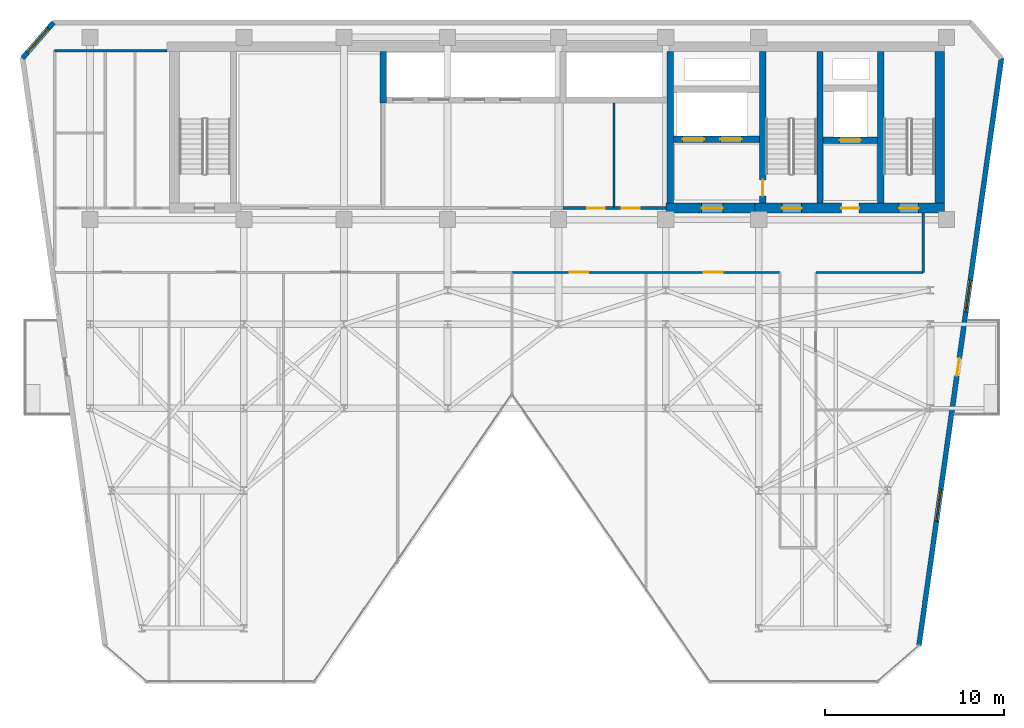
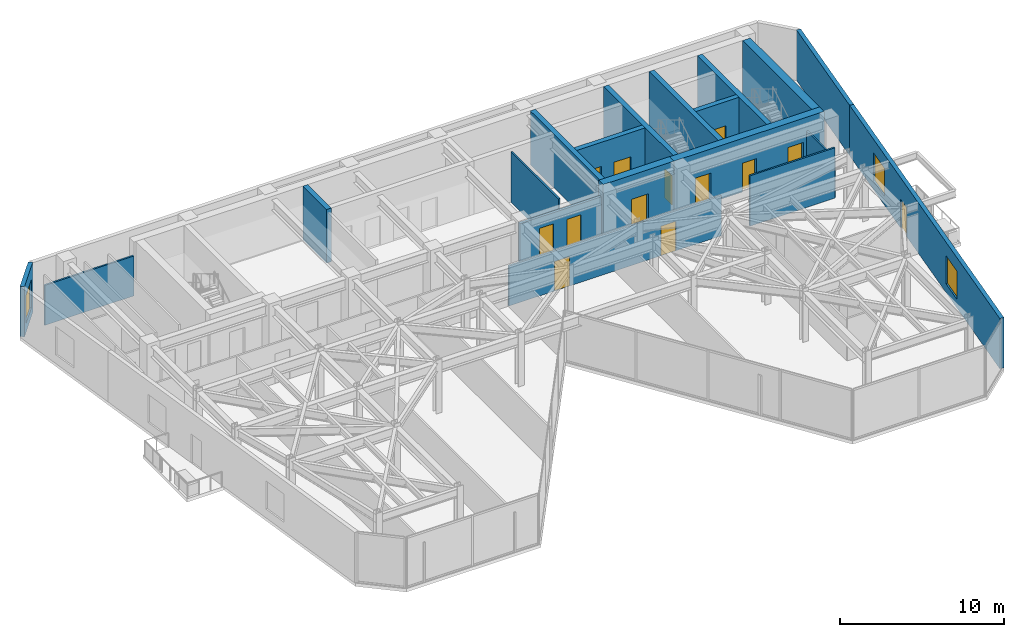
# One storey, part 17 of 21: 19 walls, 13 doors, 3 windows, 16 openings.
"""IFC4 building model written with IfcOpenShell, lengths in metres."""

from ifc_helpers import new_model, si_unit, direction, frame, frame_2d, origin, place, context, subcontext, project, spatial, rectangle, extrude, material, layer, layer_set, type_object, element, fill, save


model = new_model("IFC4")

# Units and contexts
model_context = context("Model", 3, precision=1e-05, world=origin(), true_north=direction((0.0, 1.0)))
body_context = subcontext(model_context, "Body", "Model", "MODEL_VIEW")
ifc_project = project(units=[si_unit("LENGTHUNIT", "METRE"), si_unit("AREAUNIT", "SQUARE_METRE"), si_unit("VOLUMEUNIT", "CUBIC_METRE"), si_unit("PLANEANGLEUNIT", "RADIAN"), si_unit("MASSUNIT", "GRAM", prefix="KILO")], contexts=[model_context])

# Site, building, storey
site_placement = place(None, origin())
site = spatial("IfcSite", under=ifc_project, at=site_placement, CompositionType="ELEMENT")
building_placement = place(site_placement, origin())
building = spatial("IfcBuilding", under=site, at=building_placement, Name="Kravanh Interchange Tower", CompositionType="ELEMENT")
storey_placement = place(building_placement, frame((0.0, 0.0, 184.5)))
storey = spatial("IfcBuildingStorey", under=building, at=storey_placement, Name="L44", CompositionType="ELEMENT", Elevation=184.5)

# Walls
ifc_material_1 = material(Name="Double Acoustic Gypsum Board and Mineral Wool")
ifc_layer_1 = layer(ifc_material_1, 0.1201171875)
ifc_layer_set_1 = layer_set([ifc_layer_1], Name="Acoustic Office Drywall Partition 120mm")
wall_type_1 = type_object("IfcWallType", Name="Acoustic Office Drywall Partition 120mm", PredefinedType="PARTITIONING", material=ifc_layer_set_1)
wall_1_placement = place(storey_placement, frame((47.89990234375, 38.068115234375, 0.0), z_axis=(0.0, 0.0, 1.0), x_axis=(0.0, 1.0, 0.0)))
element("IfcWall", 1, at=wall_1_placement, inside=storey, type_object=wall_type_1, Name="L44 Interior Partition 2", PredefinedType="PARTITIONING", context=body_context, shape_type="SweptSolid", body=[
    extrude(rectangle(XDim=5.798828125, YDim=0.1201171875, at=frame_2d((2.8994140625, 0.0))), origin(), (0.0, 0.0, 1.0), 3.7548828125),
])
wall_2_placement = place(storey_placement, frame((16.6201171875, 46.800048828125, 0.0), z_axis=(0.0, 0.0, 1.0), x_axis=(1.0, 0.0, 0.0)))
element("IfcWall", 2, at=wall_2_placement, inside=storey, type_object=wall_type_1, Name="L44 Restroom North Enclosure 8", PredefinedType="PARTITIONING", context=body_context, shape_type="SweptSolid", body=[
    extrude(rectangle(XDim=6.27978515625, YDim=0.1201171875, at=frame_2d((3.139892578125, 0.0))), origin(), (0.0, 0.0, 1.0), 2.98193359375),
])

# Wall, openings, doors
wall_3_placement = place(storey_placement, frame((42.199951171875, 34.39990234375, 0.0), z_axis=(0.0, 0.0, 1.0), x_axis=(1.0, 0.0, 0.0)))
wall_3 = element("IfcWall", 3, at=wall_3_placement, inside=storey, type_object=wall_type_1, Name="L44 Interior Partition 13", PredefinedType="PARTITIONING", context=body_context, shape_type="SweptSolid", body=[
    extrude(rectangle(XDim=15.0, YDim=0.1201171875, at=frame_2d((7.5, 0.0))), origin(), (0.0, 0.0, 1.0), 2.98193359375),
])
opening_1_placement = place(wall_3_placement, frame((3.22509765625, 0.0, 0.0)))
opening_1 = element("IfcOpeningElement", 4, at=opening_1_placement, cuts=wall_3, Name="Opening D-105", PredefinedType="OPENING", context=body_context, shape_type="SweptSolid", body=[
    extrude(rectangle(XDim=1.050048828125, YDim=2.199951171875, at=frame_2d((0.52490234375, 1.10009765625))), frame((0.0, 0.070068359375, 0.0), z_axis=(0.0, -1.0, 0.0), x_axis=(1.0, 0.0, 0.0)), (0.0, 0.0, 1.0), 0.14013671875),
])
opening_2_placement = place(wall_3_placement, frame((10.72509765625, 0.0, 0.0)))
opening_2 = element("IfcOpeningElement", 5, at=opening_2_placement, cuts=wall_3, Name="Opening D-105", PredefinedType="OPENING", context=body_context, shape_type="SweptSolid", body=[
    extrude(rectangle(XDim=1.050048828125, YDim=2.199951171875, at=frame_2d((0.52490234375, 1.10009765625))), frame((0.0, 0.070068359375, 0.0), z_axis=(0.0, -1.0, 0.0), x_axis=(1.0, 0.0, 0.0)), (0.0, 0.0, 1.0), 0.14013671875),
])
ifc_material_2 = material(Name="Acoustic Glazed Oak and Aluminium", Category="aluminium")
door_type_1 = type_object("IfcDoorType", Name="Office Workplace Door 1050x2200", OperationType="NOTDEFINED", PredefinedType="DOOR", material=ifc_material_2)
door_1_placement = place(opening_1_placement, origin())
door_1 = element("IfcDoor", 6, at=door_1_placement, inside=storey, type_object=door_type_1, Name="L44 Office 10E Door", OperationType="SINGLE_SWING_RIGHT", OverallHeight=2.199951171875, OverallWidth=1.050048828125, PredefinedType="DOOR", context=body_context, shape_type="SweptSolid", body=[
    extrude(rectangle(XDim=1.050048828125, YDim=2.199951171875, at=frame_2d((0.52490234375, 1.10009765625))), frame((0.0, 0.02490234375, 0.0), z_axis=(0.0, -1.0, 0.0), x_axis=(1.0, 0.0, 0.0)), (0.0, 0.0, 1.0), 0.050048828125),
])
fill(opening_1, door_1)
door_2_placement = place(opening_2_placement, origin())
door_2 = element("IfcDoor", 7, at=door_2_placement, inside=storey, type_object=door_type_1, Name="L44 Boardroom 10G Door", OperationType="SINGLE_SWING_LEFT", OverallHeight=2.199951171875, OverallWidth=1.050048828125, PredefinedType="DOOR", context=body_context, shape_type="SweptSolid", body=[
    extrude(rectangle(XDim=1.050048828125, YDim=2.199951171875, at=frame_2d((0.52490234375, 1.10009765625))), frame((0.0, 0.02490234375, 0.0), z_axis=(0.0, -1.0, 0.0), x_axis=(1.0, 0.0, 0.0)), (0.0, 0.0, 1.0), 0.050048828125),
])
fill(opening_2, door_2)

# Walls
wall_4_placement = place(storey_placement, frame((59.199951171875, 34.39990234375, 0.0), z_axis=(0.0, 0.0, 1.0), x_axis=(1.0, 0.0, 0.0)))
element("IfcWall", 8, at=wall_4_placement, inside=storey, type_object=wall_type_1, Name="L44 Interior Partition 14", PredefinedType="PARTITIONING", context=body_context, shape_type="SweptSolid", body=[
    extrude(rectangle(XDim=6.0, YDim=0.1201171875, at=frame_2d((3.0, 0.0))), origin(), (0.0, 0.0, 1.0), 3.7548828125),
])
wall_5_placement = place(storey_placement, frame((65.199951171875, 34.39990234375, 0.0), z_axis=(0.0, 0.0, 1.0), x_axis=(0.0, 1.0, 0.0)))
element("IfcWall", 9, at=wall_5_placement, inside=storey, type_object=wall_type_1, Name="L44 Interior Partition 16", PredefinedType="PARTITIONING", context=body_context, shape_type="SweptSolid", body=[
    extrude(rectangle(XDim=3.317138671875, YDim=0.1201171875, at=frame_2d((1.65869140625, 0.0))), origin(), (0.0, 0.0, 1.0), 2.98193359375),
])
ifc_material_3 = material(Name="Concrete C60/75", Category="concrete")
ifc_layer_2 = layer(ifc_material_3, 0.35009765625)
ifc_layer_set_2 = layer_set([ifc_layer_2], Name="Core Shear Wall Concrete C60/75 350mm")
wall_type_2 = type_object("IfcWallType", Name="Core Shear Wall Concrete C60/75 350mm", PredefinedType="SHEAR", material=ifc_layer_set_2)
for number, where, z_axis, x_axis, name in (
    (10, (62.824951171875, 38.27490234375, 0.0), (0.0, 0.0, 1.0), (0.0, 1.0, 0.0), "L44 Stair ST1 West Shear Wall"),
    (11, (59.425048828125, 38.27490234375, 0.0), (0.0, 0.0, 1.0), (0.0, 1.0, 0.0), "L44 Stair ST2 East Shear Wall"),
):
    element("IfcWall", number, at=place(storey_placement, frame(where, z_axis=z_axis, x_axis=x_axis)), inside=storey, type_object=wall_type_2, Name=name, PredefinedType="SHEAR", context=body_context, shape_type="SweptSolid", body=[
        extrude(rectangle(XDim=8.47509765625, YDim=0.35009765625, at=frame_2d((4.237548828125, 0.0))), origin(), (0.0, 0.0, 1.0), 4.0),
    ])

# Wall, opening, door
wall_6_placement = place(storey_placement, frame((56.22509765625, 38.27490234375, 0.0), z_axis=(0.0, 0.0, 1.0), x_axis=(0.0, 1.0, 0.0)))
wall_6 = element("IfcWall", 12, at=wall_6_placement, inside=storey, type_object=wall_type_2, Name="L44 Stair ST2 West Shear Wall", PredefinedType="SHEAR", context=body_context, shape_type="SweptSolid", body=[
    extrude(rectangle(XDim=8.47509765625, YDim=0.35009765625, at=frame_2d((4.237548828125, 0.0))), origin(), (0.0, 0.0, 1.0), 4.0),
])
opening_3_placement = place(wall_6_placement, frame((0.405029296875, 0.0, 0.0)))
opening_3 = element("IfcOpeningElement", 13, at=opening_3_placement, cuts=wall_6, Name="Opening D-STAIR-90", PredefinedType="OPENING", context=body_context, shape_type="SweptSolid", body=[
    extrude(rectangle(XDim=0.89990234375, YDim=2.14990234375, at=frame_2d((0.449951171875, 1.074951171875))), frame((0.0, 0.18505859375, 0.0), z_axis=(0.0, -1.0, 0.0), x_axis=(1.0, 0.0, 0.0)), (0.0, 0.0, 1.0), 0.3701171875),
])
ifc_material_4 = material(Name="Structural Steel S355", Category="steel")
door_type_2 = type_object("IfcDoorType", Name="Fire-Rated Stair Lobby Door 900x2150", OperationType="NOTDEFINED", PredefinedType="DOOR", material=ifc_material_4)
door_3_placement = place(opening_3_placement, origin())
door_3 = element("IfcDoor", 14, at=door_3_placement, inside=storey, type_object=door_type_2, Name="L44 Firefighting Lobby to Stair ST2 Door", OperationType="SINGLE_SWING_LEFT", OverallHeight=2.14990234375, OverallWidth=0.89990234375, PredefinedType="DOOR", context=body_context, shape_type="SweptSolid", body=[
    extrude(rectangle(XDim=0.89990234375, YDim=2.14990234375, at=frame_2d((0.449951171875, 1.074951171875))), frame((0.0, 0.02490234375, 0.0), z_axis=(0.0, -1.0, 0.0), x_axis=(1.0, 0.0, 0.0)), (0.0, 0.0, 1.0), 0.050048828125),
])
fill(opening_3, door_3)

wall_7_placement = place(storey_placement, frame((59.60009765625, 41.800048828125, 0.0), z_axis=(0.0, 0.0, 1.0), x_axis=(1.0, 0.0, 0.0)))
wall_7 = element("IfcWall", 15, at=wall_7_placement, inside=storey, type_object=wall_type_2, Name="L44 Service Lift Shaft South Wall", PredefinedType="SHEAR", context=body_context, shape_type="SweptSolid", body=[
    extrude(rectangle(XDim=3.0498046875, YDim=0.35009765625, at=frame_2d((1.52490234375, 0.0))), origin(), (0.0, 0.0, 1.0), 4.0),
])
opening_4_placement = place(wall_7_placement, frame((0.919921875, 0.0, 0.0)))
opening_4 = element("IfcOpeningElement", 16, at=opening_4_placement, cuts=wall_7, Name="Opening LD02", PredefinedType="OPENING", context=body_context, shape_type="SweptSolid", body=[
    extrude(rectangle(XDim=1.199951171875, YDim=2.199951171875, at=frame_2d((0.60009765625, 1.10009765625))), frame((0.0, 0.18505859375, 0.0), z_axis=(0.0, -1.0, 0.0), x_axis=(1.0, 0.0, 0.0)), (0.0, 0.0, 1.0), 0.3701171875),
])
ifc_material_5 = material(Name="Stainless Steel 316", Category="steel")
door_type_3 = type_object("IfcDoorType", Name="Fire and Service Lift Sliding Landing Door 1200x2200", OperationType="DOUBLE_DOOR_SLIDING", PredefinedType="DOOR", material=ifc_material_5)
door_4_placement = place(opening_4_placement, origin())
door_4 = element("IfcDoor", 17, at=door_4_placement, inside=storey, type_object=door_type_3, Name="L44 Lift LS-01 Landing Door", OperationType="DOUBLE_DOOR_SLIDING", OverallHeight=2.199951171875, OverallWidth=1.199951171875, PredefinedType="DOOR", context=body_context, shape_type="SweptSolid", body=[
    extrude(rectangle(XDim=1.199951171875, YDim=2.199951171875, at=frame_2d((0.60009765625, 1.10009765625))), frame((0.0, 0.02490234375, 0.0), z_axis=(0.0, -1.0, 0.0), x_axis=(1.0, 0.0, 0.0)), (0.0, 0.0, 1.0), 0.050048828125),
])
fill(opening_4, door_4)

# Wall, openings, doors
wall_8_placement = place(storey_placement, frame((51.22509765625, 41.85009765625, 0.0), z_axis=(0.0, 0.0, 1.0), x_axis=(1.0, 0.0, 0.0)))
wall_8 = element("IfcWall", 18, at=wall_8_placement, inside=storey, type_object=wall_type_2, Name="L44 Fire Lift Shaft South Wall", PredefinedType="SHEAR", context=body_context, shape_type="SweptSolid", body=[
    extrude(rectangle(XDim=4.824951171875, YDim=0.35009765625, at=frame_2d((2.41259765625, 0.0))), origin(), (0.0, 0.0, 1.0), 4.0),
])
opening_5_placement = place(wall_8_placement, frame((0.52490234375, 0.0, 0.0)))
opening_5 = element("IfcOpeningElement", 19, at=opening_5_placement, cuts=wall_8, Name="Opening LD02", PredefinedType="OPENING", context=body_context, shape_type="SweptSolid", body=[
    extrude(rectangle(XDim=1.199951171875, YDim=2.199951171875, at=frame_2d((0.60009765625, 1.10009765625))), frame((0.0, 0.18505859375, 0.0), z_axis=(0.0, -1.0, 0.0), x_axis=(1.0, 0.0, 0.0)), (0.0, 0.0, 1.0), 0.3701171875),
])
opening_6_placement = place(wall_8_placement, frame((2.625, 0.0, 0.0)))
opening_6 = element("IfcOpeningElement", 20, at=opening_6_placement, cuts=wall_8, Name="Opening LD02", PredefinedType="OPENING", context=body_context, shape_type="SweptSolid", body=[
    extrude(rectangle(XDim=1.199951171875, YDim=2.199951171875, at=frame_2d((0.60009765625, 1.10009765625))), frame((0.0, 0.18505859375, 0.0), z_axis=(0.0, -1.0, 0.0), x_axis=(1.0, 0.0, 0.0)), (0.0, 0.0, 1.0), 0.3701171875),
])
door_5_placement = place(opening_5_placement, origin())
door_5 = element("IfcDoor", 21, at=door_5_placement, inside=storey, type_object=door_type_3, Name="L44 Lift FSAE-01 Landing Door", OperationType="DOUBLE_DOOR_SLIDING", OverallHeight=2.199951171875, OverallWidth=1.199951171875, PredefinedType="DOOR", context=body_context, shape_type="SweptSolid", body=[
    extrude(rectangle(XDim=1.199951171875, YDim=2.199951171875, at=frame_2d((0.60009765625, 1.10009765625))), frame((0.0, 0.02490234375, 0.0), z_axis=(0.0, -1.0, 0.0), x_axis=(1.0, 0.0, 0.0)), (0.0, 0.0, 1.0), 0.050048828125),
])
fill(opening_5, door_5)
door_6_placement = place(opening_6_placement, origin())
door_6 = element("IfcDoor", 22, at=door_6_placement, inside=storey, type_object=door_type_3, Name="L44 Lift FSAE-02 Landing Door", OperationType="DOUBLE_DOOR_SLIDING", OverallHeight=2.199951171875, OverallWidth=1.199951171875, PredefinedType="DOOR", context=body_context, shape_type="SweptSolid", body=[
    extrude(rectangle(XDim=1.199951171875, YDim=2.199951171875, at=frame_2d((0.60009765625, 1.10009765625))), frame((0.0, 0.02490234375, 0.0), z_axis=(0.0, -1.0, 0.0), x_axis=(1.0, 0.0, 0.0)), (0.0, 0.0, 1.0), 0.050048828125),
])
fill(opening_6, door_6)

# Walls
wall_9_placement = place(storey_placement, frame((51.050048828125, 38.27490234375, 0.0), z_axis=(0.0, 0.0, 1.0), x_axis=(0.0, 1.0, 0.0)))
element("IfcWall", 23, at=wall_9_placement, inside=storey, type_object=wall_type_2, Name="L44 Firefighting Lobby West Wall", PredefinedType="SHEAR", context=body_context, shape_type="SweptSolid", body=[
    extrude(rectangle(XDim=8.47509765625, YDim=0.35009765625, at=frame_2d((4.237548828125, 0.0))), origin(), (0.0, 0.0, 1.0), 4.0),
])
wall_10_placement = place(storey_placement, frame((35.0, 43.875, 0.0), z_axis=(0.0, 0.0, 1.0), x_axis=(0.0, 1.0, 0.0)))
element("IfcWall", 24, at=wall_10_placement, inside=storey, type_object=wall_type_2, Name="L44 Mid-Rise Lift Shaft West Wall", PredefinedType="SHEAR", context=body_context, shape_type="SweptSolid", body=[
    extrude(rectangle(XDim=2.875, YDim=0.35009765625, at=frame_2d((1.4375, 0.0))), origin(), (0.0, 0.0, 1.0), 4.0),
])

# Wall, openings, doors
ifc_material_6 = material(Name="Concrete C70/85", Category="concrete")
ifc_layer_3 = layer(ifc_material_6, 0.550048828125)
ifc_layer_set_3 = layer_set([ifc_layer_3], Name="Core Shear Wall Concrete C70/85 550mm")
wall_type_3 = type_object("IfcWallType", Name="Core Shear Wall Concrete C70/85 550mm", PredefinedType="SHEAR", material=ifc_layer_set_3)
wall_11_placement = place(storey_placement, frame((55.800048828125, 38.0, 0.0), z_axis=(0.0, 0.0, 1.0), x_axis=(1.0, 0.0, 0.0)))
wall_11 = element("IfcWall", 25, at=wall_11_placement, inside=storey, type_object=wall_type_3, Name="L44 East Core South Shear Wall", PredefinedType="SHEAR", context=body_context, shape_type="SweptSolid", body=[
    extrude(rectangle(XDim=10.599853515625, YDim=0.550048828125, at=frame_2d((5.2998046875, 0.0))), origin(), (0.0, 0.0, 1.0), 4.0),
])
opening_7_placement = place(wall_11_placement, frame((1.5, 0.0, 0.0)))
opening_7 = element("IfcOpeningElement", 26, at=opening_7_placement, cuts=wall_11, Name="Opening D-STAIR-110", PredefinedType="OPENING", context=body_context, shape_type="SweptSolid", body=[
    extrude(rectangle(XDim=1.10009765625, YDim=2.199951171875, at=frame_2d((0.550048828125, 1.10009765625))), frame((0.0, 0.28515625, 0.0), z_axis=(0.0, -1.0, 0.0), x_axis=(1.0, 0.0, 0.0)), (0.0, 0.0, 1.0), 0.570068359375),
])
opening_8_placement = place(wall_11_placement, frame((4.820068359375, 0.0, 0.0)))
opening_8 = element("IfcOpeningElement", 27, at=opening_8_placement, cuts=wall_11, Name="Opening D-HOTEL-100", PredefinedType="OPENING", context=body_context, shape_type="SweptSolid", body=[
    extrude(rectangle(XDim=1.0, YDim=2.14990234375, at=frame_2d((0.5, 1.074951171875))), frame((0.0, 0.28515625, 0.0), z_axis=(0.0, -1.0, 0.0), x_axis=(1.0, 0.0, 0.0)), (0.0, 0.0, 1.0), 0.570068359375),
])
opening_9_placement = place(wall_11_placement, frame((8.050048828125, 0.0, 0.0)))
opening_9 = element("IfcOpeningElement", 28, at=opening_9_placement, cuts=wall_11, Name="Opening D-STAIR-110", PredefinedType="OPENING", context=body_context, shape_type="SweptSolid", body=[
    extrude(rectangle(XDim=1.10009765625, YDim=2.199951171875, at=frame_2d((0.550048828125, 1.10009765625))), frame((0.0, 0.28515625, 0.0), z_axis=(0.0, -1.0, 0.0), x_axis=(1.0, 0.0, 0.0)), (0.0, 0.0, 1.0), 0.570068359375),
])
ifc_material_7 = material(Name="Structural Steel S355", Category="steel")
door_type_4 = type_object("IfcDoorType", Name="Fire-Rated Exit Stair Door 1100x2200", OperationType="NOTDEFINED", PredefinedType="DOOR", material=ifc_material_7)
door_7_placement = place(opening_7_placement, origin())
door_7 = element("IfcDoor", 29, at=door_7_placement, inside=storey, type_object=door_type_4, Name="L44 Exit Stair ST2 Door", OperationType="SINGLE_SWING_RIGHT", OverallHeight=2.199951171875, OverallWidth=1.10009765625, PredefinedType="DOOR", context=body_context, shape_type="SweptSolid", body=[
    extrude(rectangle(XDim=1.10009765625, YDim=2.199951171875, at=frame_2d((0.550048828125, 1.10009765625))), frame((0.0, 0.02490234375, 0.0), z_axis=(0.0, -1.0, 0.0), x_axis=(1.0, 0.0, 0.0)), (0.0, 0.0, 1.0), 0.050048828125),
])
fill(opening_7, door_7)
door_8_placement = place(opening_9_placement, origin())
door_8 = element("IfcDoor", 30, at=door_8_placement, inside=storey, type_object=door_type_4, Name="L44 Exit Stair ST1 Door", OperationType="SINGLE_SWING_RIGHT", OverallHeight=2.199951171875, OverallWidth=1.10009765625, PredefinedType="DOOR", context=body_context, shape_type="SweptSolid", body=[
    extrude(rectangle(XDim=1.10009765625, YDim=2.199951171875, at=frame_2d((0.550048828125, 1.10009765625))), frame((0.0, 0.02490234375, 0.0), z_axis=(0.0, -1.0, 0.0), x_axis=(1.0, 0.0, 0.0)), (0.0, 0.0, 1.0), 0.050048828125),
])
fill(opening_9, door_8)
ifc_material_8 = material(Name="Fire-Rated Solid Timber Leaf", Category="wood")
door_type_5 = type_object("IfcDoorType", Name="Fire-Rated Suite Entrance Door 1000x2150", OperationType="NOTDEFINED", PredefinedType="DOOR", material=ifc_material_8)
door_9_placement = place(opening_8_placement, origin())
door_9 = element("IfcDoor", 31, at=door_9_placement, inside=storey, type_object=door_type_5, Name="L44 Service Lift Lobby Door", OperationType="SINGLE_SWING_RIGHT", OverallHeight=2.14990234375, OverallWidth=1.0, PredefinedType="DOOR", context=body_context, shape_type="SweptSolid", body=[
    extrude(rectangle(XDim=1.0, YDim=2.14990234375, at=frame_2d((0.5, 1.074951171875))), frame((0.0, 0.02490234375, 0.0), z_axis=(0.0, -1.0, 0.0), x_axis=(1.0, 0.0, 0.0)), (0.0, 0.0, 1.0), 0.050048828125),
])
fill(opening_8, door_9)

# Wall
wall_12_placement = place(storey_placement, frame((66.125, 38.27490234375, 0.0), z_axis=(0.0, 0.0, 1.0), x_axis=(0.0, 1.0, 0.0)))
element("IfcWall", 32, at=wall_12_placement, inside=storey, type_object=wall_type_3, Name="L44 Stair ST1 East Shear Wall", PredefinedType="SHEAR", context=body_context, shape_type="SweptSolid", body=[
    extrude(rectangle(XDim=8.47509765625, YDim=0.550048828125, at=frame_2d((4.237548828125, 0.0))), origin(), (0.0, 0.0, 1.0), 4.0),
])

# Wall, opening, door
wall_13_placement = place(storey_placement, frame((50.800048828125, 38.0, 0.0), z_axis=(0.0, 0.0, 1.0), x_axis=(1.0, 0.0, 0.0)))
wall_13 = element("IfcWall", 33, at=wall_13_placement, inside=storey, type_object=wall_type_3, Name="L44 Firefighting Lobby South Shear Wall", PredefinedType="SHEAR", context=body_context, shape_type="SweptSolid", body=[
    extrude(rectangle(XDim=5.0, YDim=0.550048828125, at=frame_2d((2.5, 0.0))), origin(), (0.0, 0.0, 1.0), 4.0),
])
opening_10_placement = place(wall_13_placement, frame((2.0, 0.0, 0.0)))
opening_10 = element("IfcOpeningElement", 34, at=opening_10_placement, cuts=wall_13, Name="Opening D-FSAE-120", PredefinedType="OPENING", context=body_context, shape_type="SweptSolid", body=[
    extrude(rectangle(XDim=1.199951171875, YDim=2.199951171875, at=frame_2d((0.60009765625, 1.10009765625))), frame((0.0, 0.28515625, 0.0), z_axis=(0.0, -1.0, 0.0), x_axis=(1.0, 0.0, 0.0)), (0.0, 0.0, 1.0), 0.570068359375),
])
ifc_material_9 = material(Name="Structural Steel S355", Category="steel")
door_type_6 = type_object("IfcDoorType", Name="Fire-Rated Refuge and FSAE Door 1200x2200", OperationType="NOTDEFINED", PredefinedType="DOOR", material=ifc_material_9)
door_10_placement = place(opening_10_placement, origin())
door_10 = element("IfcDoor", 35, at=door_10_placement, inside=storey, type_object=door_type_6, Name="L44 Firefighting Lobby Corridor Door", OperationType="SINGLE_SWING_RIGHT", OverallHeight=2.199951171875, OverallWidth=1.199951171875, PredefinedType="DOOR", context=body_context, shape_type="SweptSolid", body=[
    extrude(rectangle(XDim=1.199951171875, YDim=2.199951171875, at=frame_2d((0.60009765625, 1.10009765625))), frame((0.0, 0.02490234375, 0.0), z_axis=(0.0, -1.0, 0.0), x_axis=(1.0, 0.0, 0.0)), (0.0, 0.0, 1.0), 0.050048828125),
])
fill(opening_10, door_10)

# Wall, opening, window
ifc_material_10 = material(Name="Insulated Precast Concrete C40/50 with Bronze Cladding", Category="concrete")
ifc_layer_4 = layer(ifc_material_10, 0.280029296875)
ifc_layer_set_4 = layer_set([ifc_layer_4], Name="Exterior Insulated Concrete C40/50 Bronze Spandrel Wall 280mm")
wall_type_4 = type_object("IfcWallType", Name="Exterior Insulated Concrete C40/50 Bronze Spandrel Wall 280mm", PredefinedType="STANDARD", material=ifc_layer_set_4)
wall_14_placement = place(storey_placement, frame((14.818603515625, 46.3828125, 0.0), z_axis=(0.0, 0.0, 1.0), x_axis=(0.656071351282, 0.754698868442, 0.0)))
wall_14 = element("IfcWall", 36, at=wall_14_placement, inside=storey, type_object=wall_type_4, Name="L44 Exterior Wall 3", PredefinedType="STANDARD", context=body_context, shape_type="SweptSolid", body=[
    extrude(rectangle(XDim=2.646240234375, YDim=0.280029296875, at=frame_2d((1.3232421875, 0.0))), origin(), (0.0, 0.0, 1.0), 3.7548828125),
])
opening_11_placement = place(wall_14_placement, frame((0.41552734375, 0.0, 0.64990234375)))
opening_11 = element("IfcOpeningElement", 37, at=opening_11_placement, cuts=wall_14, Name="Opening WN-180X210", PredefinedType="OPENING", context=body_context, shape_type="SweptSolid", body=[
    extrude(rectangle(XDim=1.800048828125, YDim=2.10009765625, at=frame_2d((0.89990234375, 1.050048828125))), frame((0.0, 0.14990234375, 0.0), z_axis=(0.0, -1.0, 0.0), x_axis=(1.0, 0.0, 0.0)), (0.0, 0.0, 1.0), 0.300048828125),
])
ifc_material_11 = material(Name="Thermally Broken Bronze Aluminium and Low-E Glass", Category="aluminium")
window_type = type_object("IfcWindowType", Name="Tower Pier Window 1800x2100", PartitioningType="SINGLE_PANEL", PredefinedType="WINDOW", material=ifc_material_11)
window_1_placement = place(opening_11_placement, origin())
window_1 = element("IfcWindow", 38, at=window_1_placement, inside=storey, type_object=window_type, Name="L44 Corner Window 3", OverallHeight=2.10009765625, OverallWidth=1.800048828125, PartitioningType="SINGLE_PANEL", PredefinedType="WINDOW", context=body_context, shape_type="SweptSolid", body=[
    extrude(rectangle(XDim=1.800048828125, YDim=2.10009765625, at=frame_2d((0.89990234375, 1.050048828125))), frame((0.0, 0.030029296875, 0.0), z_axis=(0.0, -1.0, 0.0), x_axis=(1.0, 0.0, 0.0)), (0.0, 0.0, 1.0), 0.06005859375),
])
fill(opening_11, window_1)

# Wall
wall_15_placement = place(storey_placement, frame((69.581298828125, 46.3828125, 0.0), z_axis=(0.0, 0.0, 1.0), x_axis=(-0.13918102754, -0.990266954701, 0.0)))
element("IfcWall", 39, at=wall_15_placement, inside=storey, type_object=wall_type_4, Name="L44 Exterior Wall 6", PredefinedType="STANDARD", context=body_context, shape_type="SweptSolid", body=[
    extrude(rectangle(XDim=8.667236328125, YDim=0.280029296875, at=frame_2d((4.33349609375, 0.0))), origin(), (0.0, 0.0, 1.0), 3.7548828125),
])

# Wall, openings, door, windows
wall_16_placement = place(storey_placement, frame((68.375, 37.800048828125, 0.0), z_axis=(0.0, 0.0, 1.0), x_axis=(-0.139173290738, -0.99026804207, 0.0)))
wall_16 = element("IfcWall", 40, at=wall_16_placement, inside=storey, type_object=wall_type_4, Name="L44 Exterior Wall 7", PredefinedType="STANDARD", context=body_context, shape_type="SweptSolid", body=[
    extrude(rectangle(XDim=24.497802734375, YDim=0.280029296875, at=frame_2d((12.2490234375, 0.0))), origin(), (0.0, 0.0, 1.0), 3.7548828125),
])
opening_12_placement = place(wall_16_placement, frame((8.27880859375, 0.0, 0.0)))
opening_12 = element("IfcOpeningElement", 41, at=opening_12_placement, cuts=wall_16, Name="Opening ED-BAL100", PredefinedType="OPENING", context=body_context, shape_type="SweptSolid", body=[
    extrude(rectangle(XDim=1.0, YDim=2.14990234375, at=frame_2d((0.5, 1.074951171875))), frame((0.0, 0.14990234375, 0.0), z_axis=(0.0, -1.0, 0.0), x_axis=(1.0, 0.0, 0.0)), (0.0, 0.0, 1.0), 0.300048828125),
])
opening_13_placement = place(wall_16_placement, frame((3.869140625, 0.0, 0.64990234375)))
opening_13 = element("IfcOpeningElement", 42, at=opening_13_placement, cuts=wall_16, Name="Opening WN-180X210", PredefinedType="OPENING", context=body_context, shape_type="SweptSolid", body=[
    extrude(rectangle(XDim=1.800048828125, YDim=2.10009765625, at=frame_2d((0.89990234375, 1.050048828125))), frame((0.0, 0.14990234375, 0.0), z_axis=(0.0, -1.0, 0.0), x_axis=(1.0, 0.0, 0.0)), (0.0, 0.0, 1.0), 0.300048828125),
])
opening_14_placement = place(wall_16_placement, frame((15.69189453125, 0.0, 0.64990234375)))
opening_14 = element("IfcOpeningElement", 43, at=opening_14_placement, cuts=wall_16, Name="Opening WN-180X210", PredefinedType="OPENING", context=body_context, shape_type="SweptSolid", body=[
    extrude(rectangle(XDim=1.800048828125, YDim=2.10009765625, at=frame_2d((0.89990234375, 1.050048828125))), frame((0.0, 0.14990234375, 0.0), z_axis=(0.0, -1.0, 0.0), x_axis=(1.0, 0.0, 0.0)), (0.0, 0.0, 1.0), 0.300048828125),
])
ifc_material_12 = material(Name="Thermally Broken Bronze Aluminium and Laminated Glass", Category="aluminium")
door_type_7 = type_object("IfcDoorType", Name="Balcony Glazed Door 1000x2150", OperationType="NOTDEFINED", PredefinedType="DOOR", material=ifc_material_12)
door_11_placement = place(opening_12_placement, origin())
door_11 = element("IfcDoor", 44, at=door_11_placement, inside=storey, type_object=door_type_7, Name="L44 E Tree Balcony Access Door", OperationType="SINGLE_SWING_LEFT", OverallHeight=2.14990234375, OverallWidth=1.0, PredefinedType="DOOR", context=body_context, shape_type="SweptSolid", body=[
    extrude(rectangle(XDim=1.0, YDim=2.14990234375, at=frame_2d((0.5, 1.074951171875))), frame((0.0, 0.02490234375, 0.0), z_axis=(0.0, -1.0, 0.0), x_axis=(1.0, 0.0, 0.0)), (0.0, 0.0, 1.0), 0.050048828125),
])
fill(opening_12, door_11)
window_2_placement = place(opening_13_placement, origin())
window_2 = element("IfcWindow", 45, at=window_2_placement, inside=storey, type_object=window_type, Name="L44 Facade Window 7A", OverallHeight=2.10009765625, OverallWidth=1.800048828125, PartitioningType="SINGLE_PANEL", PredefinedType="WINDOW", context=body_context, shape_type="SweptSolid", body=[
    extrude(rectangle(XDim=1.800048828125, YDim=2.10009765625, at=frame_2d((0.89990234375, 1.050048828125))), frame((0.0, 0.030029296875, 0.0), z_axis=(0.0, -1.0, 0.0), x_axis=(1.0, 0.0, 0.0)), (0.0, 0.0, 1.0), 0.06005859375),
])
fill(opening_13, window_2)
window_3_placement = place(opening_14_placement, origin())
window_3 = element("IfcWindow", 46, at=window_3_placement, inside=storey, type_object=window_type, Name="L44 Facade Window 7B", OverallHeight=2.10009765625, OverallWidth=1.800048828125, PartitioningType="SINGLE_PANEL", PredefinedType="WINDOW", context=body_context, shape_type="SweptSolid", body=[
    extrude(rectangle(XDim=1.800048828125, YDim=2.10009765625, at=frame_2d((0.89990234375, 1.050048828125))), frame((0.0, 0.030029296875, 0.0), z_axis=(0.0, -1.0, 0.0), x_axis=(1.0, 0.0, 0.0)), (0.0, 0.0, 1.0), 0.06005859375),
])
fill(opening_14, window_3)

# Wall, openings, doors
ifc_material_13 = material(Name="Autoclaved Aerated Concrete C30/37 Blockwork", Category="masonry")
ifc_layer_5 = layer(ifc_material_13, 0.179931640625)
ifc_layer_set_5 = layer_set([ifc_layer_5], Name="Fire-Rated Lobby and Corridor Wall Concrete C30/37 180mm")
wall_type_5 = type_object("IfcWallType", Name="Fire-Rated Lobby and Corridor Wall Concrete C30/37 180mm", PredefinedType="STANDARD", material=ifc_layer_set_5)
wall_17_placement = place(storey_placement, frame((45.050048828125, 38.0, 0.0), z_axis=(0.0, 0.0, 1.0), x_axis=(1.0, 0.0, 0.0)))
wall_17 = element("IfcWall", 47, at=wall_17_placement, inside=storey, type_object=wall_type_5, Name="L44 Core South Enclosure 1", PredefinedType="STANDARD", context=body_context, shape_type="SweptSolid", body=[
    extrude(rectangle(XDim=5.75, YDim=0.179931640625, at=frame_2d((2.875, 0.0))), origin(), (0.0, 0.0, 1.0), 2.98193359375),
])
opening_15_placement = place(wall_17_placement, frame((1.35009765625, 0.0, 0.0)))
opening_15 = element("IfcOpeningElement", 48, at=opening_15_placement, cuts=wall_17, Name="Opening D-HOTEL-100", PredefinedType="OPENING", context=body_context, shape_type="SweptSolid", body=[
    extrude(rectangle(XDim=1.0, YDim=2.14990234375, at=frame_2d((0.5, 1.074951171875))), frame((0.0, 0.10009765625, 0.0), z_axis=(0.0, -1.0, 0.0), x_axis=(1.0, 0.0, 0.0)), (0.0, 0.0, 1.0), 0.199951171875),
])
opening_16_placement = place(wall_17_placement, frame((3.300048828125, 0.0, 0.0)))
opening_16 = element("IfcOpeningElement", 49, at=opening_16_placement, cuts=wall_17, Name="Opening D-HOTEL-100", PredefinedType="OPENING", context=body_context, shape_type="SweptSolid", body=[
    extrude(rectangle(XDim=1.0, YDim=2.14990234375, at=frame_2d((0.5, 1.074951171875))), frame((0.0, 0.10009765625, 0.0), z_axis=(0.0, -1.0, 0.0), x_axis=(1.0, 0.0, 0.0)), (0.0, 0.0, 1.0), 0.199951171875),
])
door_12_placement = place(opening_15_placement, origin())
door_12 = element("IfcDoor", 50, at=door_12_placement, inside=storey, type_object=door_type_5, Name="L44 Core Switchroom Door", OperationType="SINGLE_SWING_LEFT", OverallHeight=2.14990234375, OverallWidth=1.0, PredefinedType="DOOR", context=body_context, shape_type="SweptSolid", body=[
    extrude(rectangle(XDim=1.0, YDim=2.14990234375, at=frame_2d((0.5, 1.074951171875))), frame((0.0, 0.02490234375, 0.0), z_axis=(0.0, -1.0, 0.0), x_axis=(1.0, 0.0, 0.0)), (0.0, 0.0, 1.0), 0.050048828125),
])
fill(opening_15, door_12)
door_13_placement = place(opening_16_placement, origin())
door_13 = element("IfcDoor", 51, at=door_13_placement, inside=storey, type_object=door_type_5, Name="L44 Core Archive Door", OperationType="SINGLE_SWING_RIGHT", OverallHeight=2.14990234375, OverallWidth=1.0, PredefinedType="DOOR", context=body_context, shape_type="SweptSolid", body=[
    extrude(rectangle(XDim=1.0, YDim=2.14990234375, at=frame_2d((0.5, 1.074951171875))), frame((0.0, 0.02490234375, 0.0), z_axis=(0.0, -1.0, 0.0), x_axis=(1.0, 0.0, 0.0)), (0.0, 0.0, 1.0), 0.050048828125),
])
fill(opening_16, door_13)

save(model, "model.ifc")
